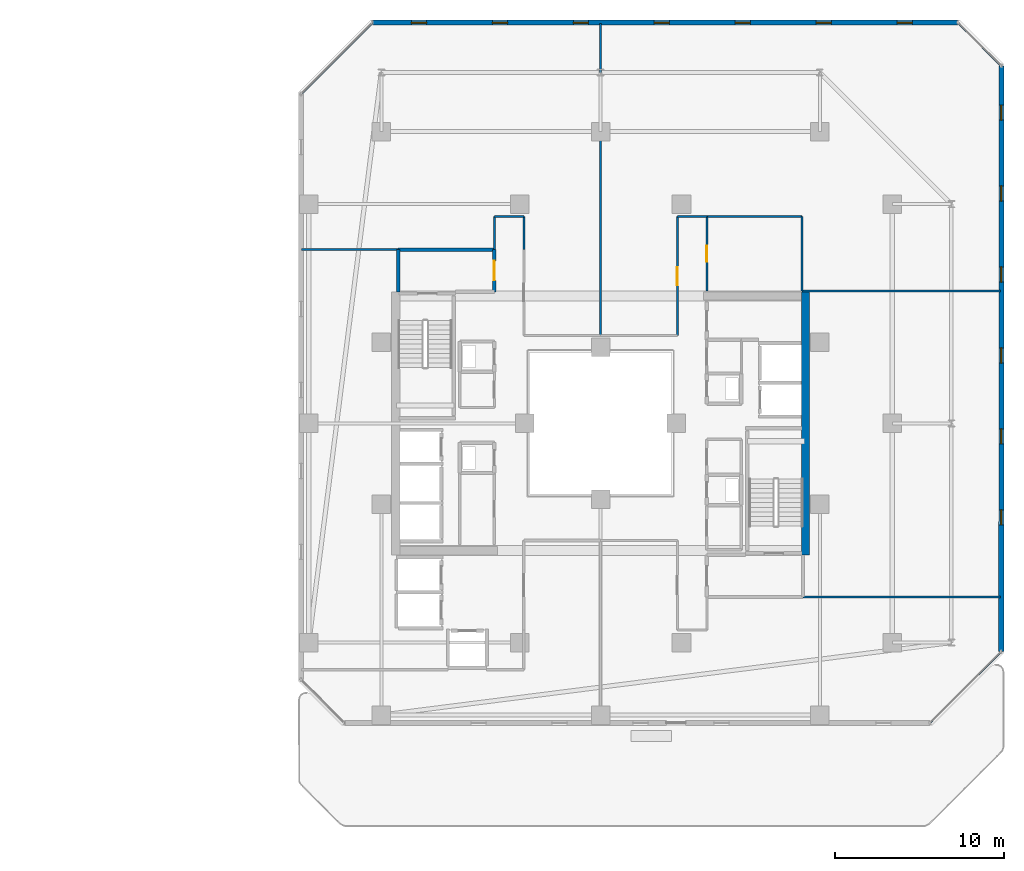
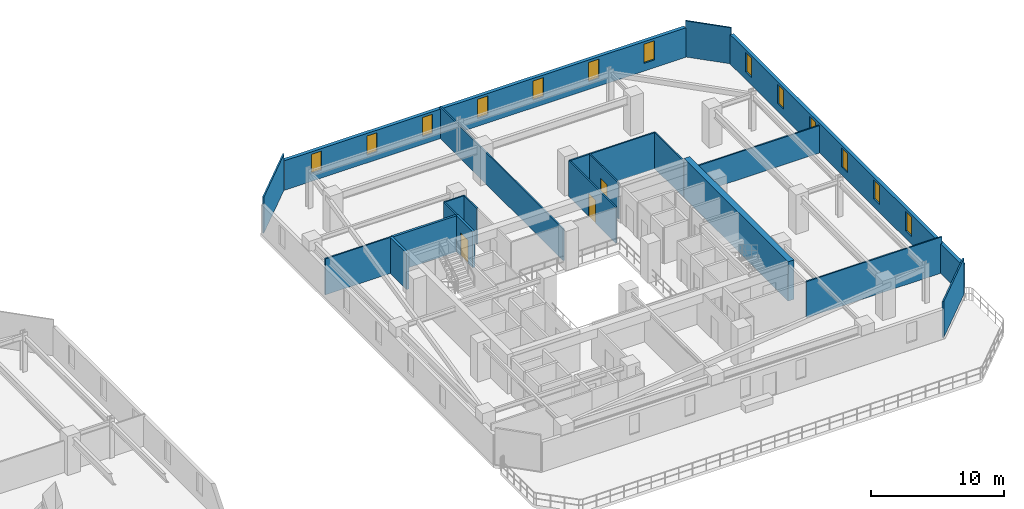
# One storey, part 24 of 30: 21 walls, 13 windows, 3 doors, 16 openings.
"""IFC4 building model written with IfcOpenShell, lengths in metres."""

from ifc_helpers import new_model, si_unit, direction, frame, frame_2d, origin, place, context, subcontext, project, spatial, rectangle, extrude, material, layer, layer_set, type_object, element, fill, save


model = new_model("IFC4")

# Units and contexts
model_context = context("Model", 3, precision=1e-05, world=origin(), true_north=direction((0.0, 1.0)))
body_context = subcontext(model_context, "Body", "Model", "MODEL_VIEW")
ifc_project = project(units=[si_unit("LENGTHUNIT", "METRE"), si_unit("AREAUNIT", "SQUARE_METRE"), si_unit("VOLUMEUNIT", "CUBIC_METRE"), si_unit("PLANEANGLEUNIT", "RADIAN"), si_unit("MASSUNIT", "GRAM", prefix="KILO")], contexts=[model_context])

# Site, building, storey
site_placement = place(None, origin())
site = spatial("IfcSite", under=ifc_project, at=site_placement, CompositionType="ELEMENT")
building_placement = place(site_placement, origin())
building = spatial("IfcBuilding", under=site, at=building_placement, Name="Thornwick Lancets Civic Towers", CompositionType="ELEMENT")
storey_placement = place(building_placement, frame((0.0, 0.0, 149.10009765625)))
storey = spatial("IfcBuildingStorey", under=building, at=storey_placement, Name="L39", CompositionType="ELEMENT", Elevation=149.10009765625)

# Wall, opening, door
ifc_material_1 = material(Name="Concrete blockwork C40/50", Category="masonry")
ifc_layer_1 = layer(ifc_material_1, 0.199951171875, Name="Concrete blockwork C40/50")
ifc_layer_set_1 = layer_set([ifc_layer_1], Name="Concrete blockwork C40/50")
wall_type_1 = type_object("IfcWallType", Name="WALL_COMP_200", PredefinedType="STANDARD", material=ifc_layer_set_1)
wall_1_placement = place(storey_placement, frame((82.199951171875, 34.800048828125, 0.0), z_axis=(0.0, 0.0, 1.0), x_axis=(0.0, 1.0, 0.0)))
wall_1 = element("IfcWall", 1, at=wall_1_placement, inside=storey, type_object=wall_type_1, Name="L39 Partition L39-B-FFLOB2 E2", PredefinedType="STANDARD", context=body_context, shape_type="SweptSolid", body=[
    extrude(rectangle(XDim=2.5, YDim=0.199951171875, at=frame_2d((1.25, 0.0))), origin(), (0.0, 0.0, 1.0), 3.2998046875),
])
opening_1_placement = place(wall_1_placement, frame((0.675048828125, 0.0, 0.0)))
opening_1 = element("IfcOpeningElement", 2, at=opening_1_placement, cuts=wall_1, Name="Opening D-L39-1768", PredefinedType="OPENING", context=body_context, shape_type="SweptSolid", body=[
    extrude(rectangle(XDim=1.14990234375, YDim=2.10009765625, at=frame_2d((0.574951171875, 1.050048828125))), frame((0.0, 0.10986328125, 0.0), z_axis=(0.0, -1.0, 0.0), x_axis=(1.0, 0.0, 0.0)), (0.0, 0.0, 1.0), 0.219970703125),
])
ifc_material_2 = material(Name="Glazed fire-resisting steel", Category="steel")
door_type_1 = type_object("IfcDoorType", Name="DOOR_LOBBY_FD60", OperationType="NOTDEFINED", PredefinedType="DOOR", material=ifc_material_2)
door_1_placement = place(opening_1_placement, origin())
door_1 = element("IfcDoor", 3, at=door_1_placement, inside=storey, type_object=door_type_1, Name="L39 West Firefighting Lobby 2 Door", OperationType="SINGLE_SWING_LEFT", OverallHeight=2.10009765625, OverallWidth=1.14990234375, PredefinedType="DOOR", context=body_context, shape_type="SweptSolid", body=[
    extrude(rectangle(XDim=1.14990234375, YDim=2.10009765625, at=frame_2d((0.574951171875, 1.050048828125))), frame((0.0, 0.02490234375, 0.0), z_axis=(0.0, -1.0, 0.0), x_axis=(1.0, 0.0, 0.0)), (0.0, 0.0, 1.0), 0.050048828125),
])
fill(opening_1, door_1)

# Walls
wall_2_placement = place(storey_placement, frame((82.199951171875, 37.300048828125, 0.0), z_axis=(0.0, 0.0, 1.0), x_axis=(-1.0, 0.0, 0.0)))
element("IfcWall", 4, at=wall_2_placement, inside=storey, type_object=wall_type_1, Name="L39 Partition L39-B-FFLOB2 E3", PredefinedType="STANDARD", context=body_context, shape_type="SweptSolid", body=[
    extrude(rectangle(XDim=5.699951171875, YDim=0.199951171875, at=frame_2d((2.85009765625, 0.0))), origin(), (0.0, 0.0, 1.0), 3.2998046875),
])
wall_3_placement = place(storey_placement, frame((76.5, 37.300048828125, 0.0), z_axis=(0.0, 0.0, 1.0), x_axis=(0.0, -1.0, 0.0)))
element("IfcWall", 5, at=wall_3_placement, inside=storey, type_object=wall_type_1, Name="L39 Partition L39-B-FFLOB2 E4", PredefinedType="STANDARD", context=body_context, shape_type="SweptSolid", body=[
    extrude(rectangle(XDim=2.5, YDim=0.199951171875, at=frame_2d((1.25, 0.0))), origin(), (0.0, 0.0, 1.0), 3.2998046875),
])
ifc_material_3 = material(Name="Concrete C50/60", Category="concrete")
ifc_layer_2 = layer(ifc_material_3, 0.5, Name="Concrete C50/60")
ifc_layer_set_2 = layer_set([ifc_layer_2], Name="Concrete C50/60")
wall_type_2 = type_object("IfcWallType", Name="WALL_CORE_500", PredefinedType="SHEAR", material=ifc_layer_set_2)
wall_4_placement = place(storey_placement, frame((100.64990234375, 19.199951171875, 0.0), z_axis=(0.0, 0.0, 1.0), x_axis=(0.0, 1.0, 0.0)))
element("IfcWall", 6, at=wall_4_placement, inside=storey, type_object=wall_type_2, Name="L39 Split Core B1 Shear Wall E", PredefinedType="SHEAR", context=body_context, shape_type="SweptSolid", body=[
    extrude(rectangle(XDim=15.60009765625, YDim=0.5, at=frame_2d((7.800048828125, 0.0))), origin(), (0.0, 0.0, 1.0), 3.599853515625),
])

# Wall, openings, windows
ifc_material_4 = material(Name="Insulated russet terracotta rainscreen on concrete C40/50", Category="masonry")
ifc_layer_3 = layer(ifc_material_4, 0.300048828125, Name="Insulated russet terracotta rainscreen on concrete C40/50")
ifc_layer_set_3 = layer_set([ifc_layer_3], Name="Insulated russet terracotta rainscreen on concrete C40/50")
wall_type_3 = type_object("IfcWallType", Name="WALL_EXT_RUSSET_300", PredefinedType="STANDARD", material=ifc_layer_set_3)
wall_5_placement = place(storey_placement, frame((112.25927734375, 13.47412109375, 0.0), z_axis=(0.0, 0.0, 1.0), x_axis=(0.000154754115, 0.999999988026, 0.0)))
wall_5 = element("IfcWall", 7, at=wall_5_placement, inside=storey, type_object=wall_type_3, Name="L39 Tower B Terracotta Facade Wall E2", PredefinedType="STANDARD", context=body_context, shape_type="SweptSolid", body=[
    extrude(rectangle(XDim=34.707275390625, YDim=0.300048828125, at=frame_2d((17.353515625, 0.0))), origin(), (0.0, 0.0, 1.0), 2.699951171875),
])
opening_2_placement = place(wall_5_placement, frame((7.5, 0.0, 0.719970703125)))
opening_2 = element("IfcOpeningElement", 8, at=opening_2_placement, cuts=wall_5, Name="Opening WL-01", PredefinedType="OPENING", context=body_context, shape_type="SweptSolid", body=[
    extrude(rectangle(XDim=0.89990234375, YDim=1.75, at=frame_2d((0.449951171875, 0.875))), frame((0.0, 0.16015625, 0.0), z_axis=(0.0, -1.0, 0.0), x_axis=(1.0, 0.0, 0.0)), (0.0, 0.0, 1.0), 0.320068359375),
])
opening_3_placement = place(wall_5_placement, frame((12.300048828125, 0.0, 0.719970703125)))
opening_3 = element("IfcOpeningElement", 9, at=opening_3_placement, cuts=wall_5, Name="Opening WL-01", PredefinedType="OPENING", context=body_context, shape_type="SweptSolid", body=[
    extrude(rectangle(XDim=0.89990234375, YDim=1.75, at=frame_2d((0.449951171875, 0.875))), frame((0.0, 0.16015625, 0.0), z_axis=(0.0, -1.0, 0.0), x_axis=(1.0, 0.0, 0.0)), (0.0, 0.0, 1.0), 0.320068359375),
])
opening_4_placement = place(wall_5_placement, frame((17.10009765625, 0.0, 0.719970703125)))
opening_4 = element("IfcOpeningElement", 10, at=opening_4_placement, cuts=wall_5, Name="Opening WL-01", PredefinedType="OPENING", context=body_context, shape_type="SweptSolid", body=[
    extrude(rectangle(XDim=0.89990234375, YDim=1.75, at=frame_2d((0.449951171875, 0.875))), frame((0.0, 0.16015625, 0.0), z_axis=(0.0, -1.0, 0.0), x_axis=(1.0, 0.0, 0.0)), (0.0, 0.0, 1.0), 0.320068359375),
])
opening_5_placement = place(wall_5_placement, frame((21.89990234375, 0.0, 0.719970703125)))
opening_5 = element("IfcOpeningElement", 11, at=opening_5_placement, cuts=wall_5, Name="Opening WL-01", PredefinedType="OPENING", context=body_context, shape_type="SweptSolid", body=[
    extrude(rectangle(XDim=0.89990234375, YDim=1.75, at=frame_2d((0.449951171875, 0.875))), frame((0.0, 0.16015625, 0.0), z_axis=(0.0, -1.0, 0.0), x_axis=(1.0, 0.0, 0.0)), (0.0, 0.0, 1.0), 0.320068359375),
])
opening_6_placement = place(wall_5_placement, frame((26.699951171875, 0.0, 0.719970703125)))
opening_6 = element("IfcOpeningElement", 12, at=opening_6_placement, cuts=wall_5, Name="Opening WL-01", PredefinedType="OPENING", context=body_context, shape_type="SweptSolid", body=[
    extrude(rectangle(XDim=0.89990234375, YDim=1.75, at=frame_2d((0.449951171875, 0.875))), frame((0.0, 0.16015625, 0.0), z_axis=(0.0, -1.0, 0.0), x_axis=(1.0, 0.0, 0.0)), (0.0, 0.0, 1.0), 0.320068359375),
])
opening_7_placement = place(wall_5_placement, frame((31.5, 0.0, 0.719970703125)))
opening_7 = element("IfcOpeningElement", 13, at=opening_7_placement, cuts=wall_5, Name="Opening WL-01", PredefinedType="OPENING", context=body_context, shape_type="SweptSolid", body=[
    extrude(rectangle(XDim=0.89990234375, YDim=1.75, at=frame_2d((0.449951171875, 0.875))), frame((0.0, 0.16015625, 0.0), z_axis=(0.0, -1.0, 0.0), x_axis=(1.0, 0.0, 0.0)), (0.0, 0.0, 1.0), 0.320068359375),
])
ifc_material_5 = material(Name="Clear low-e double glazing in bronze frame", Category="glass")
window_type = type_object("IfcWindowType", Name="WIN_LANCET_900", PartitioningType="SINGLE_PANEL", PredefinedType="WINDOW", material=ifc_material_5)
window_1_placement = place(opening_2_placement, origin())
window_1 = element("IfcWindow", 14, at=window_1_placement, inside=storey, type_object=window_type, Name="L39 Tower B Staggered Lancet Window E2-1", OverallHeight=1.75, OverallWidth=0.89990234375, PartitioningType="SINGLE_PANEL", PredefinedType="WINDOW", context=body_context, shape_type="SweptSolid", body=[
    extrude(rectangle(XDim=0.89990234375, YDim=1.75, at=frame_2d((0.449951171875, 0.875))), frame((0.0, 0.030029296875, 0.0), z_axis=(0.0, -1.0, 0.0), x_axis=(1.0, 0.0, 0.0)), (0.0, 0.0, 1.0), 0.06005859375),
])
fill(opening_2, window_1)
window_2_placement = place(opening_3_placement, origin())
window_2 = element("IfcWindow", 15, at=window_2_placement, inside=storey, type_object=window_type, Name="L39 Tower B Staggered Lancet Window E2-2", OverallHeight=1.75, OverallWidth=0.89990234375, PartitioningType="SINGLE_PANEL", PredefinedType="WINDOW", context=body_context, shape_type="SweptSolid", body=[
    extrude(rectangle(XDim=0.89990234375, YDim=1.75, at=frame_2d((0.449951171875, 0.875))), frame((0.0, 0.030029296875, 0.0), z_axis=(0.0, -1.0, 0.0), x_axis=(1.0, 0.0, 0.0)), (0.0, 0.0, 1.0), 0.06005859375),
])
fill(opening_3, window_2)
window_3_placement = place(opening_4_placement, origin())
window_3 = element("IfcWindow", 16, at=window_3_placement, inside=storey, type_object=window_type, Name="L39 Tower B Staggered Lancet Window E2-3", OverallHeight=1.75, OverallWidth=0.89990234375, PartitioningType="SINGLE_PANEL", PredefinedType="WINDOW", context=body_context, shape_type="SweptSolid", body=[
    extrude(rectangle(XDim=0.89990234375, YDim=1.75, at=frame_2d((0.449951171875, 0.875))), frame((0.0, 0.030029296875, 0.0), z_axis=(0.0, -1.0, 0.0), x_axis=(1.0, 0.0, 0.0)), (0.0, 0.0, 1.0), 0.06005859375),
])
fill(opening_4, window_3)
window_4_placement = place(opening_5_placement, origin())
window_4 = element("IfcWindow", 17, at=window_4_placement, inside=storey, type_object=window_type, Name="L39 Tower B Staggered Lancet Window E2-4", OverallHeight=1.75, OverallWidth=0.89990234375, PartitioningType="SINGLE_PANEL", PredefinedType="WINDOW", context=body_context, shape_type="SweptSolid", body=[
    extrude(rectangle(XDim=0.89990234375, YDim=1.75, at=frame_2d((0.449951171875, 0.875))), frame((0.0, 0.030029296875, 0.0), z_axis=(0.0, -1.0, 0.0), x_axis=(1.0, 0.0, 0.0)), (0.0, 0.0, 1.0), 0.06005859375),
])
fill(opening_5, window_4)
window_5_placement = place(opening_6_placement, origin())
window_5 = element("IfcWindow", 18, at=window_5_placement, inside=storey, type_object=window_type, Name="L39 Tower B Staggered Lancet Window E2-5", OverallHeight=1.75, OverallWidth=0.89990234375, PartitioningType="SINGLE_PANEL", PredefinedType="WINDOW", context=body_context, shape_type="SweptSolid", body=[
    extrude(rectangle(XDim=0.89990234375, YDim=1.75, at=frame_2d((0.449951171875, 0.875))), frame((0.0, 0.030029296875, 0.0), z_axis=(0.0, -1.0, 0.0), x_axis=(1.0, 0.0, 0.0)), (0.0, 0.0, 1.0), 0.06005859375),
])
fill(opening_6, window_5)
window_6_placement = place(opening_7_placement, origin())
window_6 = element("IfcWindow", 19, at=window_6_placement, inside=storey, type_object=window_type, Name="L39 Tower B Staggered Lancet Window E2-6", OverallHeight=1.75, OverallWidth=0.89990234375, PartitioningType="SINGLE_PANEL", PredefinedType="WINDOW", context=body_context, shape_type="SweptSolid", body=[
    extrude(rectangle(XDim=0.89990234375, YDim=1.75, at=frame_2d((0.449951171875, 0.875))), frame((0.0, 0.030029296875, 0.0), z_axis=(0.0, -1.0, 0.0), x_axis=(1.0, 0.0, 0.0)), (0.0, 0.0, 1.0), 0.06005859375),
])
fill(opening_7, window_6)

wall_6_placement = place(storey_placement, frame((109.681396484375, 50.7646484375, 0.0), z_axis=(0.0, 0.0, 1.0), x_axis=(-0.999999988026, -0.000154754115, 0.0)))
wall_6 = element("IfcWall", 20, at=wall_6_placement, inside=storey, type_object=wall_type_3, Name="L39 Tower B Terracotta Facade Wall E4", PredefinedType="STANDARD", context=body_context, shape_type="SweptSolid", body=[
    extrude(rectangle(XDim=34.707275390625, YDim=0.300048828125, at=frame_2d((17.353515625, 0.0))), origin(), (0.0, 0.0, 1.0), 2.699951171875),
])
opening_8_placement = place(wall_6_placement, frame((2.699951171875, 0.0, 0.719970703125)))
opening_8 = element("IfcOpeningElement", 21, at=opening_8_placement, cuts=wall_6, Name="Opening WL-01", PredefinedType="OPENING", context=body_context, shape_type="SweptSolid", body=[
    extrude(rectangle(XDim=0.89990234375, YDim=1.75, at=frame_2d((0.449951171875, 0.875))), frame((0.0, 0.16015625, 0.0), z_axis=(0.0, -1.0, 0.0), x_axis=(1.0, 0.0, 0.0)), (0.0, 0.0, 1.0), 0.320068359375),
])
opening_9_placement = place(wall_6_placement, frame((7.5, 0.0, 0.719970703125)))
opening_9 = element("IfcOpeningElement", 22, at=opening_9_placement, cuts=wall_6, Name="Opening WL-01", PredefinedType="OPENING", context=body_context, shape_type="SweptSolid", body=[
    extrude(rectangle(XDim=0.89990234375, YDim=1.75, at=frame_2d((0.449951171875, 0.875))), frame((0.0, 0.16015625, 0.0), z_axis=(0.0, -1.0, 0.0), x_axis=(1.0, 0.0, 0.0)), (0.0, 0.0, 1.0), 0.320068359375),
])
opening_10_placement = place(wall_6_placement, frame((12.300048828125, 0.0, 0.719970703125)))
opening_10 = element("IfcOpeningElement", 23, at=opening_10_placement, cuts=wall_6, Name="Opening WL-01", PredefinedType="OPENING", context=body_context, shape_type="SweptSolid", body=[
    extrude(rectangle(XDim=0.89990234375, YDim=1.75, at=frame_2d((0.449951171875, 0.875))), frame((0.0, 0.16015625, 0.0), z_axis=(0.0, -1.0, 0.0), x_axis=(1.0, 0.0, 0.0)), (0.0, 0.0, 1.0), 0.320068359375),
])
opening_11_placement = place(wall_6_placement, frame((17.10009765625, 0.0, 0.719970703125)))
opening_11 = element("IfcOpeningElement", 24, at=opening_11_placement, cuts=wall_6, Name="Opening WL-01", PredefinedType="OPENING", context=body_context, shape_type="SweptSolid", body=[
    extrude(rectangle(XDim=0.89990234375, YDim=1.75, at=frame_2d((0.449951171875, 0.875))), frame((0.0, 0.16015625, 0.0), z_axis=(0.0, -1.0, 0.0), x_axis=(1.0, 0.0, 0.0)), (0.0, 0.0, 1.0), 0.320068359375),
])
opening_12_placement = place(wall_6_placement, frame((21.89990234375, 0.0, 0.719970703125)))
opening_12 = element("IfcOpeningElement", 25, at=opening_12_placement, cuts=wall_6, Name="Opening WL-01", PredefinedType="OPENING", context=body_context, shape_type="SweptSolid", body=[
    extrude(rectangle(XDim=0.89990234375, YDim=1.75, at=frame_2d((0.449951171875, 0.875))), frame((0.0, 0.16015625, 0.0), z_axis=(0.0, -1.0, 0.0), x_axis=(1.0, 0.0, 0.0)), (0.0, 0.0, 1.0), 0.320068359375),
])
opening_13_placement = place(wall_6_placement, frame((26.699951171875, 0.0, 0.719970703125)))
opening_13 = element("IfcOpeningElement", 26, at=opening_13_placement, cuts=wall_6, Name="Opening WL-01", PredefinedType="OPENING", context=body_context, shape_type="SweptSolid", body=[
    extrude(rectangle(XDim=0.89990234375, YDim=1.75, at=frame_2d((0.449951171875, 0.875))), frame((0.0, 0.16015625, 0.0), z_axis=(0.0, -1.0, 0.0), x_axis=(1.0, 0.0, 0.0)), (0.0, 0.0, 1.0), 0.320068359375),
])
opening_14_placement = place(wall_6_placement, frame((31.5, 0.0, 0.719970703125)))
opening_14 = element("IfcOpeningElement", 27, at=opening_14_placement, cuts=wall_6, Name="Opening WL-01", PredefinedType="OPENING", context=body_context, shape_type="SweptSolid", body=[
    extrude(rectangle(XDim=0.89990234375, YDim=1.75, at=frame_2d((0.449951171875, 0.875))), frame((0.0, 0.16015625, 0.0), z_axis=(0.0, -1.0, 0.0), x_axis=(1.0, 0.0, 0.0)), (0.0, 0.0, 1.0), 0.320068359375),
])
window_7_placement = place(opening_8_placement, origin())
window_7 = element("IfcWindow", 28, at=window_7_placement, inside=storey, type_object=window_type, Name="L39 Tower B Staggered Lancet Window E4-1", OverallHeight=1.75, OverallWidth=0.89990234375, PartitioningType="SINGLE_PANEL", PredefinedType="WINDOW", context=body_context, shape_type="SweptSolid", body=[
    extrude(rectangle(XDim=0.89990234375, YDim=1.75, at=frame_2d((0.449951171875, 0.875))), frame((0.0, 0.030029296875, 0.0), z_axis=(0.0, -1.0, 0.0), x_axis=(1.0, 0.0, 0.0)), (0.0, 0.0, 1.0), 0.06005859375),
])
fill(opening_8, window_7)
window_8_placement = place(opening_9_placement, origin())
window_8 = element("IfcWindow", 29, at=window_8_placement, inside=storey, type_object=window_type, Name="L39 Tower B Staggered Lancet Window E4-2", OverallHeight=1.75, OverallWidth=0.89990234375, PartitioningType="SINGLE_PANEL", PredefinedType="WINDOW", context=body_context, shape_type="SweptSolid", body=[
    extrude(rectangle(XDim=0.89990234375, YDim=1.75, at=frame_2d((0.449951171875, 0.875))), frame((0.0, 0.030029296875, 0.0), z_axis=(0.0, -1.0, 0.0), x_axis=(1.0, 0.0, 0.0)), (0.0, 0.0, 1.0), 0.06005859375),
])
fill(opening_9, window_8)
window_9_placement = place(opening_10_placement, origin())
window_9 = element("IfcWindow", 30, at=window_9_placement, inside=storey, type_object=window_type, Name="L39 Tower B Staggered Lancet Window E4-3", OverallHeight=1.75, OverallWidth=0.89990234375, PartitioningType="SINGLE_PANEL", PredefinedType="WINDOW", context=body_context, shape_type="SweptSolid", body=[
    extrude(rectangle(XDim=0.89990234375, YDim=1.75, at=frame_2d((0.449951171875, 0.875))), frame((0.0, 0.030029296875, 0.0), z_axis=(0.0, -1.0, 0.0), x_axis=(1.0, 0.0, 0.0)), (0.0, 0.0, 1.0), 0.06005859375),
])
fill(opening_10, window_9)
window_10_placement = place(opening_11_placement, origin())
window_10 = element("IfcWindow", 31, at=window_10_placement, inside=storey, type_object=window_type, Name="L39 Tower B Staggered Lancet Window E4-4", OverallHeight=1.75, OverallWidth=0.89990234375, PartitioningType="SINGLE_PANEL", PredefinedType="WINDOW", context=body_context, shape_type="SweptSolid", body=[
    extrude(rectangle(XDim=0.89990234375, YDim=1.75, at=frame_2d((0.449951171875, 0.875))), frame((0.0, 0.030029296875, 0.0), z_axis=(0.0, -1.0, 0.0), x_axis=(1.0, 0.0, 0.0)), (0.0, 0.0, 1.0), 0.06005859375),
])
fill(opening_11, window_10)
window_11_placement = place(opening_12_placement, origin())
window_11 = element("IfcWindow", 32, at=window_11_placement, inside=storey, type_object=window_type, Name="L39 Tower B Staggered Lancet Window E4-5", OverallHeight=1.75, OverallWidth=0.89990234375, PartitioningType="SINGLE_PANEL", PredefinedType="WINDOW", context=body_context, shape_type="SweptSolid", body=[
    extrude(rectangle(XDim=0.89990234375, YDim=1.75, at=frame_2d((0.449951171875, 0.875))), frame((0.0, 0.030029296875, 0.0), z_axis=(0.0, -1.0, 0.0), x_axis=(1.0, 0.0, 0.0)), (0.0, 0.0, 1.0), 0.06005859375),
])
fill(opening_12, window_11)
window_12_placement = place(opening_13_placement, origin())
window_12 = element("IfcWindow", 33, at=window_12_placement, inside=storey, type_object=window_type, Name="L39 Tower B Staggered Lancet Window E4-6", OverallHeight=1.75, OverallWidth=0.89990234375, PartitioningType="SINGLE_PANEL", PredefinedType="WINDOW", context=body_context, shape_type="SweptSolid", body=[
    extrude(rectangle(XDim=0.89990234375, YDim=1.75, at=frame_2d((0.449951171875, 0.875))), frame((0.0, 0.030029296875, 0.0), z_axis=(0.0, -1.0, 0.0), x_axis=(1.0, 0.0, 0.0)), (0.0, 0.0, 1.0), 0.06005859375),
])
fill(opening_13, window_12)
window_13_placement = place(opening_14_placement, origin())
window_13 = element("IfcWindow", 34, at=window_13_placement, inside=storey, type_object=window_type, Name="L39 Tower B Staggered Lancet Window E4-7", OverallHeight=1.75, OverallWidth=0.89990234375, PartitioningType="SINGLE_PANEL", PredefinedType="WINDOW", context=body_context, shape_type="SweptSolid", body=[
    extrude(rectangle(XDim=0.89990234375, YDim=1.75, at=frame_2d((0.449951171875, 0.875))), frame((0.0, 0.030029296875, 0.0), z_axis=(0.0, -1.0, 0.0), x_axis=(1.0, 0.0, 0.0)), (0.0, 0.0, 1.0), 0.06005859375),
])
fill(opening_14, window_13)

# Wall
ifc_material_6 = material(Name="Acoustic gypsum board partition")
ifc_layer_4 = layer(ifc_material_6, 0.1201171875, Name="Acoustic gypsum board partition")
ifc_layer_set_4 = layer_set([ifc_layer_4], Name="Acoustic gypsum board partition")
wall_type_4 = type_object("IfcWallType", Name="WALL_PART_120", PredefinedType="PARTITIONING", material=ifc_layer_set_4)
wall_7_placement = place(storey_placement, frame((100.449951171875, 39.25, 0.0), z_axis=(0.0, 0.0, 1.0), x_axis=(0.0, -1.0, 0.0)))
element("IfcWall", 35, at=wall_7_placement, inside=storey, type_object=wall_type_4, Name="L39 Partition L39-B-RECLAIM-L1 E1", PredefinedType="PARTITIONING", context=body_context, shape_type="SweptSolid", body=[
    extrude(rectangle(XDim=4.39990234375, YDim=0.1201171875, at=frame_2d((2.199951171875, 0.0))), origin(), (0.0, 0.0, 1.0), 3.2998046875),
])

# Wall, opening, door
wall_8_placement = place(storey_placement, frame((94.800048828125, 34.85009765625, 0.0), z_axis=(0.0, 0.0, 1.0), x_axis=(0.0, 1.0, 0.0)))
wall_8 = element("IfcWall", 36, at=wall_8_placement, inside=storey, type_object=wall_type_4, Name="L39 Partition L39-B-RECLAIM-L1 E3", PredefinedType="PARTITIONING", context=body_context, shape_type="SweptSolid", body=[
    extrude(rectangle(XDim=4.39990234375, YDim=0.1201171875, at=frame_2d((2.199951171875, 0.0))), origin(), (0.0, 0.0, 1.0), 3.2998046875),
])
opening_15_placement = place(wall_8_placement, frame((1.72509765625, 0.0, 0.0)))
opening_15 = element("IfcOpeningElement", 37, at=opening_15_placement, cuts=wall_8, Name="Opening D-L39-1784", PredefinedType="OPENING", context=body_context, shape_type="SweptSolid", body=[
    extrude(rectangle(XDim=0.949951171875, YDim=2.10009765625, at=frame_2d((0.47509765625, 1.050048828125))), frame((0.0, 0.070068359375, 0.0), z_axis=(0.0, -1.0, 0.0), x_axis=(1.0, 0.0, 0.0)), (0.0, 0.0, 1.0), 0.14013671875),
])
ifc_material_7 = material(Name="European oak acoustic doorset")
door_type_2 = type_object("IfcDoorType", Name="DOOR_OFFICE_950", OperationType="NOTDEFINED", PredefinedType="DOOR", material=ifc_material_7)
door_2_placement = place(opening_15_placement, origin())
door_2 = element("IfcDoor", 38, at=door_2_placement, inside=storey, type_object=door_type_2, Name="L39 Tower B Policy Archive and Library Door", OperationType="SINGLE_SWING_LEFT", OverallHeight=2.10009765625, OverallWidth=0.949951171875, PredefinedType="DOOR", context=body_context, shape_type="SweptSolid", body=[
    extrude(rectangle(XDim=0.949951171875, YDim=2.10009765625, at=frame_2d((0.47509765625, 1.050048828125))), frame((0.0, 0.02490234375, 0.0), z_axis=(0.0, -1.0, 0.0), x_axis=(1.0, 0.0, 0.0)), (0.0, 0.0, 1.0), 0.050048828125),
])
fill(opening_15, door_2)

# Walls
wall_9_placement = place(storey_placement, frame((94.800048828125, 39.25, 0.0), z_axis=(0.0, 0.0, 1.0), x_axis=(1.0, 0.0, 0.0)))
element("IfcWall", 39, at=wall_9_placement, inside=storey, type_object=wall_type_4, Name="L39 Partition L39-B-RECLAIM-L1 E4", PredefinedType="PARTITIONING", context=body_context, shape_type="SweptSolid", body=[
    extrude(rectangle(XDim=5.64990234375, YDim=0.1201171875, at=frame_2d((2.824951171875, 0.0))), origin(), (0.0, 0.0, 1.0), 3.2998046875),
])
wall_10_placement = place(storey_placement, frame((100.5, 16.699951171875, 0.0), z_axis=(0.0, 0.0, 1.0), x_axis=(1.0, 0.0, 0.0)))
element("IfcWall", 40, at=wall_10_placement, inside=storey, type_object=wall_type_4, Name="L39 Partition L39-B-W1 E8", PredefinedType="PARTITIONING", context=body_context, shape_type="SweptSolid", body=[
    extrude(rectangle(XDim=11.719970703125, YDim=0.1201171875, at=frame_2d((5.85986328125, 0.0))), origin(), (0.0, 0.0, 1.0), 3.2998046875),
])
wall_11_placement = place(storey_placement, frame((112.219970703125, 13.4365234375, 0.0), z_axis=(0.0, 0.0, 1.0), x_axis=(-0.707106781187, -0.707106781187, 0.0)))
element("IfcWall", 41, at=wall_11_placement, inside=storey, type_object=wall_type_4, Name="L39 Partition L39-B-W1 E10", PredefinedType="PARTITIONING", context=body_context, shape_type="SweptSolid", body=[
    extrude(rectangle(XDim=5.878173828125, YDim=0.1201171875, at=frame_2d((2.93896484375, 0.0))), origin(), (0.0, 0.0, 1.0), 3.2998046875),
])
wall_12_placement = place(storey_placement, frame((94.800048828125, 39.25, 0.0), z_axis=(0.0, 0.0, 1.0), x_axis=(-1.0, 0.0, 0.0)))
element("IfcWall", 42, at=wall_12_placement, inside=storey, type_object=wall_type_4, Name="L39 Partition L39-B-E1 E3", PredefinedType="PARTITIONING", context=body_context, shape_type="SweptSolid", body=[
    extrude(rectangle(XDim=1.75, YDim=0.1201171875, at=frame_2d((0.875, 0.0))), origin(), (0.0, 0.0, 1.0), 3.2998046875),
])

# Wall, opening, door
wall_13_placement = place(storey_placement, frame((93.050048828125, 39.25, 0.0), z_axis=(0.0, 0.0, 1.0), x_axis=(0.0, -1.0, 0.0)))
wall_13 = element("IfcWall", 43, at=wall_13_placement, inside=storey, type_object=wall_type_4, Name="L39 Partition L39-B-E1 E4", PredefinedType="PARTITIONING", context=body_context, shape_type="SweptSolid", body=[
    extrude(rectangle(XDim=7.050048828125, YDim=0.1201171875, at=frame_2d((3.52490234375, 0.0))), origin(), (0.0, 0.0, 1.0), 3.2998046875),
])
opening_16_placement = place(wall_13_placement, frame((3.0, 0.0, 0.0)))
opening_16 = element("IfcOpeningElement", 44, at=opening_16_placement, cuts=wall_13, Name="Opening D-L39-1787", PredefinedType="OPENING", context=body_context, shape_type="SweptSolid", body=[
    extrude(rectangle(XDim=1.050048828125, YDim=2.10009765625, at=frame_2d((0.52490234375, 1.050048828125))), frame((0.0, 0.070068359375, 0.0), z_axis=(0.0, -1.0, 0.0), x_axis=(1.0, 0.0, 0.0)), (0.0, 0.0, 1.0), 0.14013671875),
])
ifc_material_8 = material(Name="Glazed European oak executive doorset")
door_type_3 = type_object("IfcDoorType", Name="DOOR_OFFICE_1050", OperationType="NOTDEFINED", PredefinedType="DOOR", material=ifc_material_8)
door_3_placement = place(opening_16_placement, origin())
door_3 = element("IfcDoor", 45, at=door_3_placement, inside=storey, type_object=door_type_3, Name="L39 Tower B Secretariat Open Office E1 Door", OperationType="SINGLE_SWING_RIGHT", OverallHeight=2.10009765625, OverallWidth=1.050048828125, PredefinedType="DOOR", context=body_context, shape_type="SweptSolid", body=[
    extrude(rectangle(XDim=1.050048828125, YDim=2.10009765625, at=frame_2d((0.52490234375, 1.050048828125))), frame((0.0, 0.02490234375, 0.0), z_axis=(0.0, -1.0, 0.0), x_axis=(1.0, 0.0, 0.0)), (0.0, 0.0, 1.0), 0.050048828125),
])
fill(opening_16, door_3)

# Walls
wall_14_placement = place(storey_placement, frame((88.5, 32.199951171875, 0.0), z_axis=(0.0, 0.0, 1.0), x_axis=(0.0, 1.0, 0.0)))
element("IfcWall", 46, at=wall_14_placement, inside=storey, type_object=wall_type_4, Name="L39 Partition L39-B-E1 E6", PredefinedType="PARTITIONING", context=body_context, shape_type="SweptSolid", body=[
    extrude(rectangle(XDim=18.52001953125, YDim=0.1201171875, at=frame_2d((9.260009765625, 0.0))), origin(), (0.0, 0.0, 1.0), 2.89208984375),
])
wall_15_placement = place(storey_placement, frame((109.725341796875, 50.719970703125, 0.0), z_axis=(0.0, 0.0, 1.0), x_axis=(0.707106781187, -0.707106781187, 0.0)))
element("IfcWall", 47, at=wall_15_placement, inside=storey, type_object=wall_type_4, Name="L39 Partition L39-B-E1 E8", PredefinedType="PARTITIONING", context=body_context, shape_type="SweptSolid", body=[
    extrude(rectangle(XDim=3.52783203125, YDim=0.1201171875, at=frame_2d((1.763916015625, 0.0))), origin(), (0.0, 0.0, 1.0), 3.2998046875),
])
wall_16_placement = place(storey_placement, frame((112.219970703125, 34.85009765625, 0.0), z_axis=(0.0, 0.0, 1.0), x_axis=(-1.0, 0.0, 0.0)))
element("IfcWall", 48, at=wall_16_placement, inside=storey, type_object=wall_type_4, Name="L39 Partition L39-B-E1 E10", PredefinedType="PARTITIONING", context=body_context, shape_type="SweptSolid", body=[
    extrude(rectangle(XDim=11.77001953125, YDim=0.1201171875, at=frame_2d((5.885009765625, 0.0))), origin(), (0.0, 0.0, 1.0), 2.5048828125),
])
wall_17_placement = place(storey_placement, frame((83.949951171875, 37.300048828125, 0.0), z_axis=(0.0, 0.0, 1.0), x_axis=(0.0, 1.0, 0.0)))
element("IfcWall", 49, at=wall_17_placement, inside=storey, type_object=wall_type_4, Name="L39 Partition L39-B-E3 E2", PredefinedType="PARTITIONING", context=body_context, shape_type="SweptSolid", body=[
    extrude(rectangle(XDim=1.949951171875, YDim=0.1201171875, at=frame_2d((0.97509765625, 0.0))), origin(), (0.0, 0.0, 1.0), 3.2998046875),
])
wall_18_placement = place(storey_placement, frame((83.949951171875, 39.25, 0.0), z_axis=(0.0, 0.0, 1.0), x_axis=(-1.0, 0.0, 0.0)))
element("IfcWall", 50, at=wall_18_placement, inside=storey, type_object=wall_type_4, Name="L39 Partition L39-B-E3 E3", PredefinedType="PARTITIONING", context=body_context, shape_type="SweptSolid", body=[
    extrude(rectangle(XDim=1.75, YDim=0.1201171875, at=frame_2d((0.875, 0.0))), origin(), (0.0, 0.0, 1.0), 3.2998046875),
])
wall_19_placement = place(storey_placement, frame((82.199951171875, 39.25, 0.0), z_axis=(0.0, 0.0, 1.0), x_axis=(0.0, -1.0, 0.0)))
element("IfcWall", 51, at=wall_19_placement, inside=storey, type_object=wall_type_4, Name="L39 Partition L39-B-E3 E4", PredefinedType="PARTITIONING", context=body_context, shape_type="SweptSolid", body=[
    extrude(rectangle(XDim=1.949951171875, YDim=0.1201171875, at=frame_2d((0.97509765625, 0.0))), origin(), (0.0, 0.0, 1.0), 3.2998046875),
])
wall_20_placement = place(storey_placement, frame((76.5, 37.300048828125, 0.0), z_axis=(0.0, 0.0, 1.0), x_axis=(-1.0, 0.0, 0.0)))
element("IfcWall", 52, at=wall_20_placement, inside=storey, type_object=wall_type_4, Name="L39 Partition L39-B-E3 E6", PredefinedType="PARTITIONING", context=body_context, shape_type="SweptSolid", body=[
    extrude(rectangle(XDim=5.719970703125, YDim=0.1201171875, at=frame_2d((2.85986328125, 0.0))), origin(), (0.0, 0.0, 1.0), 3.2998046875),
])
wall_21_placement = place(storey_placement, frame((70.780029296875, 46.5634765625, 0.0), z_axis=(0.0, 0.0, 1.0), x_axis=(0.707106781187, 0.707106781187, 0.0)))
element("IfcWall", 53, at=wall_21_placement, inside=storey, type_object=wall_type_4, Name="L39 Partition L39-B-E3 E8", PredefinedType="PARTITIONING", context=body_context, shape_type="SweptSolid", body=[
    extrude(rectangle(XDim=5.878173828125, YDim=0.1201171875, at=frame_2d((2.93896484375, 0.0))), origin(), (0.0, 0.0, 1.0), 3.2998046875),
])

save(model, "model.ifc")
